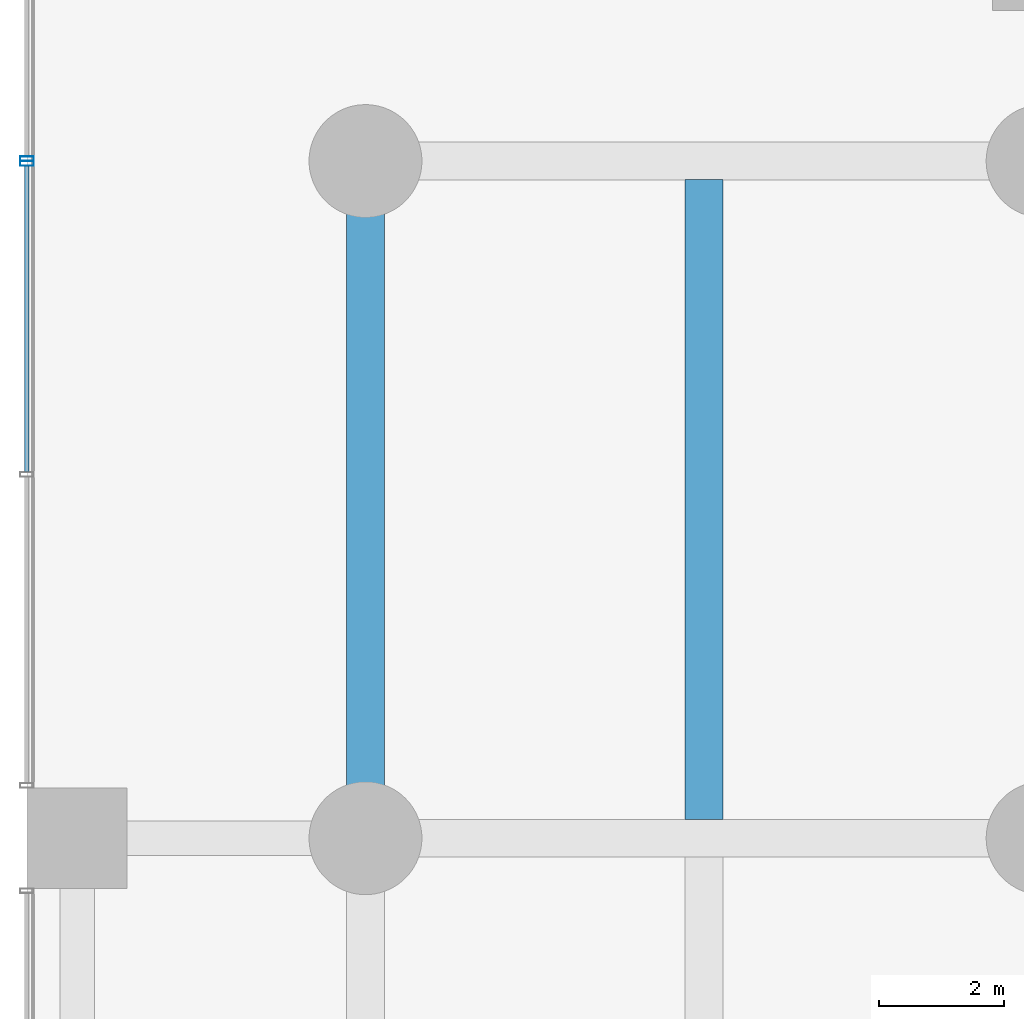
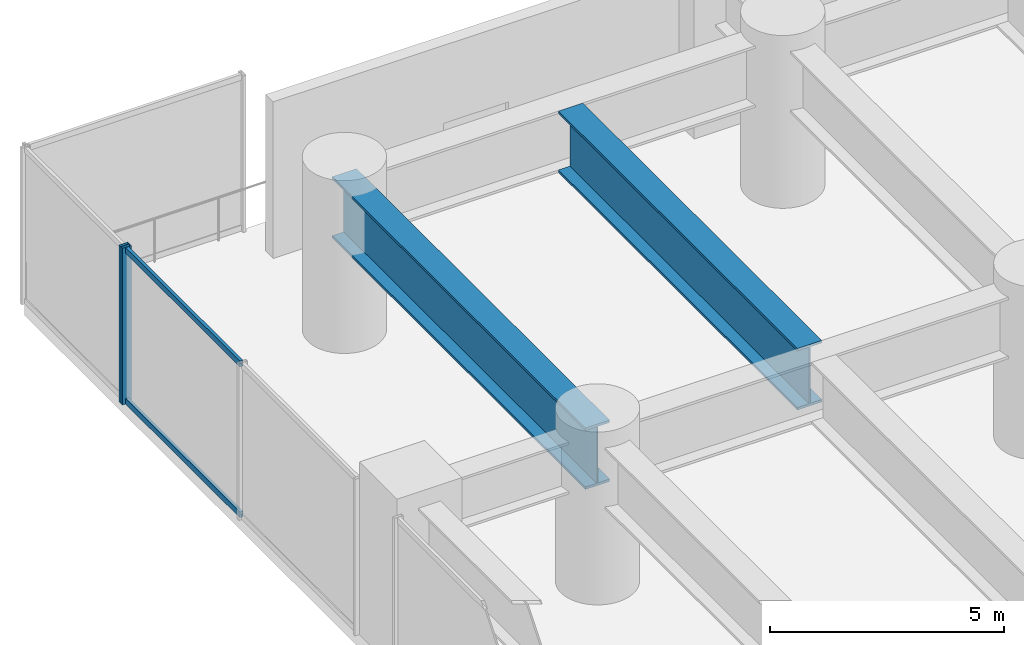
# One storey, part 12 of 37: 4 members, 2 beams, 2 elements without a shape of their own.
"""IFC4 building model written with IfcOpenShell, lengths in metres."""

from ifc_helpers import new_model, si_unit, direction, frame, origin, origin_2d, place, context, subcontext, project, spatial, hollow_rectangle, i_section, extrude, material, layer, layer_set, material_profile, profile_set, type_object, element, aggregate, save


model = new_model("IFC4")

# Units and contexts
model_context = context("Model", 3, precision=1e-05, world=origin(), true_north=direction((0.0, 1.0)))
body_context = subcontext(model_context, "Body", "Model", "MODEL_VIEW")
ifc_project = project(units=[si_unit("LENGTHUNIT", "METRE"), si_unit("AREAUNIT", "SQUARE_METRE"), si_unit("VOLUMEUNIT", "CUBIC_METRE"), si_unit("PLANEANGLEUNIT", "RADIAN"), si_unit("MASSUNIT", "GRAM", prefix="KILO")], contexts=[model_context])

# Site, building, storey
site_placement = place(None, origin())
site = spatial("IfcSite", under=ifc_project, at=site_placement, CompositionType="ELEMENT")
building_placement = place(site_placement, origin())
building = spatial("IfcBuilding", under=site, at=building_placement, Name="Surkhivell Harbour Commons", CompositionType="ELEMENT")
storey_placement = place(building_placement, frame((0.0, 0.0, 18.0)))
storey = spatial("IfcBuildingStorey", under=building, at=storey_placement, Name="L04", CompositionType="ELEMENT", Elevation=18.0)

# Beams
ifc_material_1 = material(Name="Steel S460", Category="steel")
ifc_material_profile_1 = material_profile(ifc_material_1, i_section(OverallWidth=0.60009765625, OverallDepth=1.60009765625, WebThickness=0.035888671875, FlangeThickness=0.06494140625, at=origin_2d()), Name="WPG1600x600x296")
ifc_profile_set_1 = profile_set([ifc_material_profile_1], Name="Steel S460")
beam_type = type_object("IfcBeamType", Name="BM-TRF-1600", PredefinedType="BEAM", material=ifc_profile_set_1)
beam_1_placement = place(storey_placement, frame((-32.39990234375, 10.800048828125, 3.280029296875), z_axis=(0.0, 1.0, 0.0), x_axis=(-1.0, 0.0, 0.0)))
element("IfcBeam", 1, at=beam_1_placement, inside=storey, type_object=beam_type, Name="L04 Transfer Girder (-32.4,10.8)", PredefinedType="BEAM", context=body_context, shape_type="SweptSolid", body=[
    extrude(i_section(OverallWidth=0.60009765625, OverallDepth=1.60009765625, WebThickness=0.035888671875, FlangeThickness=0.06494140625, at=origin_2d()), origin(), (0.0, 0.0, 1.0), 10.800048828125),
])
beam_2_placement = place(storey_placement, frame((-27.0, 11.097900390625, 3.280029296875), z_axis=(0.0, 1.0, 0.0), x_axis=(-1.0, 0.0, 0.0)))
element("IfcBeam", 2, at=beam_2_placement, inside=storey, type_object=beam_type, Name="L04 Secondary Transfer Girder (-27.0,10.8)", PredefinedType="BEAM", context=body_context, shape_type="SweptSolid", body=[
    extrude(i_section(OverallWidth=0.60009765625, OverallDepth=1.60009765625, WebThickness=0.035888671875, FlangeThickness=0.06494140625, at=origin_2d()), origin(), (0.0, 0.0, 1.0), 10.2041015625),
])

# Curtain wall, member
ifc_material_2 = material(Name="Anodised pale-metal aluminium and insulated glazing", Category="aluminium")
ifc_layer = layer(ifc_material_2, 0.239990234375)
ifc_layer_set = layer_set([ifc_layer], Name="Anodised pale-metal aluminium and insulated glazing")
curtain_wall_type = type_object("IfcCurtainWallType", Name="CW-SYS-POD", PredefinedType="NOTDEFINED", material=ifc_layer_set)
curtain_wall_1_placement = place(storey_placement, origin())
curtain_wall_1 = element("IfcCurtainWall", 3, at=curtain_wall_1_placement, inside=storey, type_object=curtain_wall_type, Name="L04 Curtain Wall CW-L04-W5", PredefinedType="NOTDEFINED")
ifc_material_3 = material(Name="Anodised pale-metal aluminium alloy 6063-T6", Category="aluminium")
ifc_material_profile_2 = material_profile(ifc_material_3, hollow_rectangle(XDim=0.074951171875, YDim=0.219970703125, WallThickness=0.00390625, at=origin_2d()), Name="ALU-MULL-75x220")
ifc_profile_set_2 = profile_set([ifc_material_profile_2], Name="Anodised pale-metal aluminium alloy 6063-T6")
member_type_1 = type_object("IfcMemberType", Name="CWM-220", PredefinedType="MULLION", material=ifc_profile_set_2)
member_1_placement = place(storey_placement, frame((-37.800048828125, 21.5625, 0.0), z_axis=(0.0, 0.0, 1.0), x_axis=(0.0, 1.0, 0.0)))
member_1 = element("IfcMember", 4, at=member_1_placement, type_object=member_type_1, Name="CW-POD mullion 3", PredefinedType="MULLION", context=body_context, shape_type="SweptSolid", body=[
    extrude(hollow_rectangle(XDim=0.074951171875, YDim=0.219970703125, WallThickness=0.00390625, at=origin_2d()), origin(), (0.0, 0.0, 1.0), 4.080078125),
])

curtain_wall_2_placement = place(storey_placement, origin())
curtain_wall_2 = element("IfcCurtainWall", 5, at=curtain_wall_2_placement, inside=storey, type_object=curtain_wall_type, Name="L04 Curtain Wall CW-L04-W6", PredefinedType="NOTDEFINED")
member_2_placement = place(storey_placement, frame((-37.800048828125, 21.637451171875, 0.0), z_axis=(0.0, 0.0, 1.0), x_axis=(0.0, 1.0, 0.0)))
member_2 = element("IfcMember", 6, at=member_2_placement, type_object=member_type_1, Name="CW-POD mullion 1", PredefinedType="MULLION", context=body_context, shape_type="SweptSolid", body=[
    extrude(hollow_rectangle(XDim=0.074951171875, YDim=0.219970703125, WallThickness=0.00390625, at=origin_2d()), origin(), (0.0, 0.0, 1.0), 4.080078125),
])
aggregate(curtain_wall_2, [member_2])

# Member
ifc_material_profile_3 = material_profile(ifc_material_3, hollow_rectangle(XDim=0.074951171875, YDim=0.14990234375, WallThickness=0.00341796875, at=origin_2d()), Name="ALU-TRAN-75x150")
ifc_profile_set_3 = profile_set([ifc_material_profile_3], Name="Anodised pale-metal aluminium alloy 6063-T6")
member_type_2 = type_object("IfcMemberType", Name="CWT-150", PredefinedType="USERDEFINED", material=ifc_profile_set_3)
member_3_placement = place(storey_placement, frame((-37.800048828125, 16.638427734375, 0.074951171875), z_axis=(0.0, 1.0, 0.0), x_axis=(-1.0, 0.0, 0.0)))
member_3 = element("IfcMember", 7, at=member_3_placement, type_object=member_type_2, Name="CW-POD transom 2.1", ObjectType="TRANSOM", PredefinedType="USERDEFINED", context=body_context, shape_type="SweptSolid", body=[
    extrude(hollow_rectangle(XDim=0.074951171875, YDim=0.14990234375, WallThickness=0.00341796875, at=origin_2d()), origin(), (0.0, 0.0, 1.0), 4.886474609375),
])

member_4_placement = place(storey_placement, frame((-37.800048828125, 16.638427734375, 4.0048828125), z_axis=(0.0, 1.0, 0.0), x_axis=(-1.0, 0.0, 0.0)))
member_4 = element("IfcMember", 8, at=member_4_placement, type_object=member_type_2, Name="CW-POD transom 2.2", ObjectType="TRANSOM", PredefinedType="USERDEFINED", context=body_context, shape_type="SweptSolid", body=[
    extrude(hollow_rectangle(XDim=0.074951171875, YDim=0.14990234375, WallThickness=0.00341796875, at=origin_2d()), origin(), (0.0, 0.0, 1.0), 4.886474609375),
])

aggregate(curtain_wall_1, [member_1, member_3, member_4])

save(model, "model.ifc")
